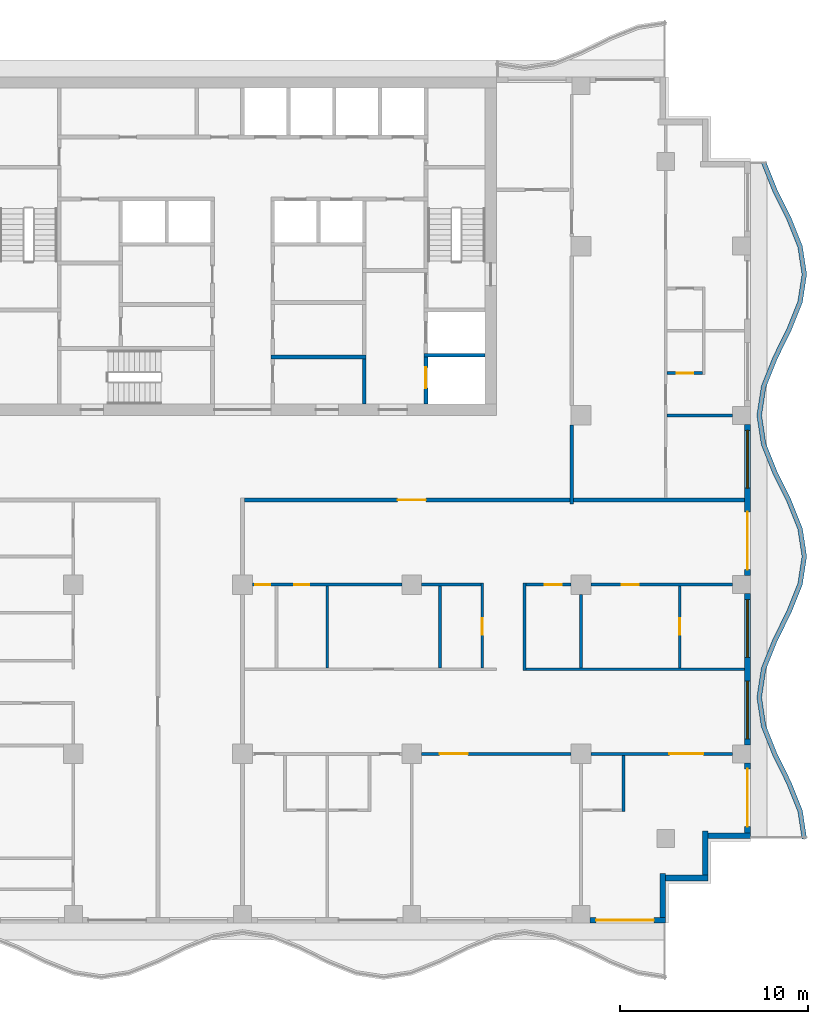
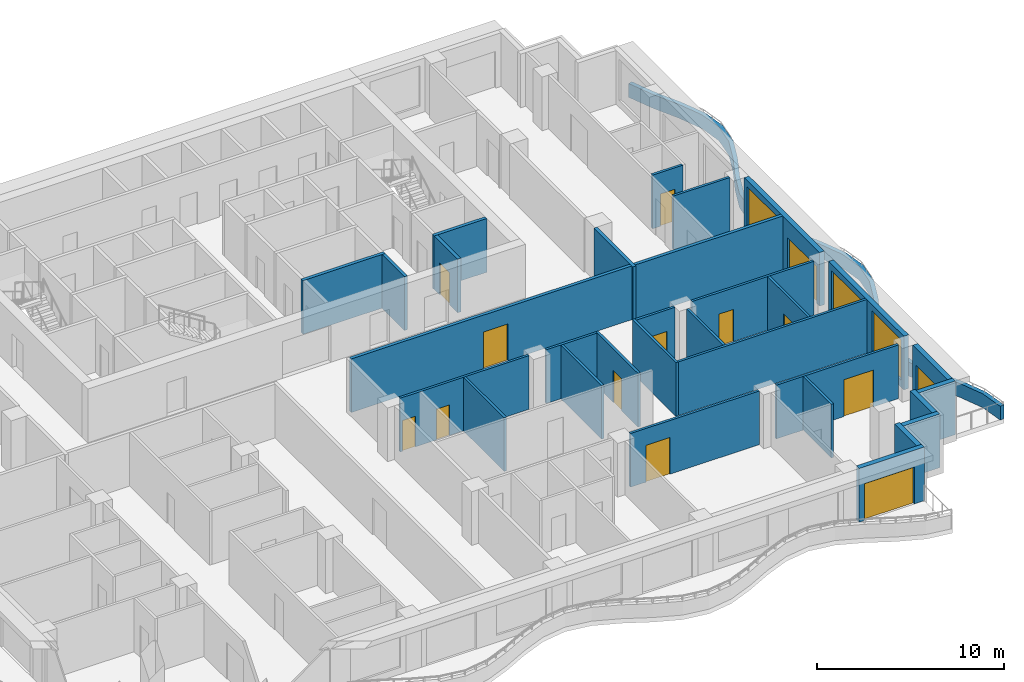
# One storey, part 4 of 11: 32 walls, 14 doors, 3 windows, 17 openings.
"""IFC4 building model written with IfcOpenShell, lengths in metres."""

from ifc_helpers import new_model, si_unit, direction, frame, frame_2d, origin, place, context, subcontext, project, spatial, polyline, rectangle, outline, extrude, material, layer, layer_set, type_object, element, fill, save


model = new_model("IFC4")

# Units and contexts
model_context = context("Model", 3, precision=1e-05, world=origin(), true_north=direction((0.0, 1.0)))
body_context = subcontext(model_context, "Body", "Model", "MODEL_VIEW")
ifc_project = project(units=[si_unit("LENGTHUNIT", "METRE"), si_unit("AREAUNIT", "SQUARE_METRE"), si_unit("VOLUMEUNIT", "CUBIC_METRE"), si_unit("PLANEANGLEUNIT", "RADIAN"), si_unit("MASSUNIT", "GRAM", prefix="KILO")], contexts=[model_context])

# Site, building, storey
site_placement = place(None, origin())
site = spatial("IfcSite", under=ifc_project, at=site_placement, CompositionType="ELEMENT")
building_placement = place(site_placement, origin())
building = spatial("IfcBuilding", under=site, at=building_placement, Name="Orbiselva Terraces", CompositionType="ELEMENT")
storey_placement = place(building_placement, frame((0.0, 0.0, 218.6)))
storey = spatial("IfcBuildingStorey", under=building, at=storey_placement, Name="L55", CompositionType="ELEMENT", Elevation=218.6)

# Walls
ifc_material_1 = material(Name="Concrete C60/75", Category="concrete")
ifc_layer_1 = layer(ifc_material_1, 0.2)
ifc_layer_set_1 = layer_set([ifc_layer_1], Name="Concrete C60/75")
wall_type_1 = type_object("IfcWallType", Name="CORE-WALL-SHEAR-200", PredefinedType="SHEAR", material=ifc_layer_set_1)
wall_1_placement = place(storey_placement, frame((1.5, 7.6, 0.0), z_axis=(0.0, 0.0, 1.0), x_axis=(1.0, 0.0, 0.0)))
element("IfcWall", 1, at=wall_1_placement, inside=storey, type_object=wall_type_1, Name="L55 core wall 28", PredefinedType="SHEAR", context=body_context, shape_type="SweptSolid", body=[
    extrude(rectangle(XDim=5.075, YDim=0.2, at=frame_2d((2.5375, 0.0))), origin(), (0.0, 0.0, 1.0), 3.5),
])
wall_2_placement = place(storey_placement, frame((6.475, 5.1, 0.0), z_axis=(0.0, 0.0, 1.0), x_axis=(0.0, 1.0, 0.0)))
element("IfcWall", 2, at=wall_2_placement, inside=storey, type_object=wall_type_1, Name="L55 core wall 38", PredefinedType="SHEAR", context=body_context, shape_type="SweptSolid", body=[
    extrude(rectangle(XDim=2.4, YDim=0.2, at=frame_2d((1.2, 0.0))), origin(), (0.0, 0.0, 1.0), 3.5),
])

# Wall, opening, door
wall_3_placement = place(storey_placement, frame((9.75, 5.1, 0.0), z_axis=(0.0, 0.0, 1.0), x_axis=(0.0, 1.0, 0.0)))
wall_3 = element("IfcWall", 3, at=wall_3_placement, inside=storey, type_object=wall_type_1, Name="L55 core wall 45", PredefinedType="SHEAR", context=body_context, shape_type="SweptSolid", body=[
    extrude(rectangle(XDim=2.5, YDim=0.2, at=frame_2d((1.25, 0.0))), origin(), (0.0, 0.0, 1.0), 3.5),
])
opening_1_placement = place(wall_3_placement, frame((0.85, 0.0, 0.0)))
opening_1 = element("IfcOpeningElement", 4, at=opening_1_placement, cuts=wall_3, Name="Opening LD-FF1", PredefinedType="OPENING", context=body_context, shape_type="SweptSolid", body=[
    extrude(rectangle(XDim=1.1, YDim=2.1, at=frame_2d((0.55, 1.05))), frame((0.0, 0.11, 0.0), z_axis=(0.0, -1.0, 0.0), x_axis=(1.0, 0.0, 0.0)), (0.0, 0.0, 1.0), 0.22),
])
ifc_material_2 = material(Name="Stainless steel landing door", Category="steel")
door_type_1 = type_object("IfcDoorType", Name="LANDING DOOR 1100", OperationType="SLIDING_TO_LEFT", PredefinedType="DOOR", material=ifc_material_2)
door_1_placement = place(opening_1_placement, origin())
door_1 = element("IfcDoor", 5, at=door_1_placement, inside=storey, type_object=door_type_1, Name="L55 landing door FF1", OperationType="SLIDING_TO_RIGHT", OverallHeight=2.1, OverallWidth=1.1, PredefinedType="DOOR", context=body_context, shape_type="SweptSolid", body=[
    extrude(rectangle(XDim=1.1, YDim=2.1, at=frame_2d((0.55, 1.05))), frame((0.0, 0.025, 0.0), z_axis=(0.0, -1.0, 0.0), x_axis=(1.0, 0.0, 0.0)), (0.0, 0.0, 1.0), 0.05),
])
fill(opening_1, door_1)

# Walls
wall_4_placement = place(storey_placement, frame((9.65, 7.7, 0.0), z_axis=(0.0, 0.0, 1.0), x_axis=(1.0, 0.0, 0.0)))
element("IfcWall", 6, at=wall_4_placement, inside=storey, type_object=wall_type_1, Name="L55 core wall 46", PredefinedType="SHEAR", context=body_context, shape_type="SweptSolid", body=[
    extrude(rectangle(XDim=3.25, YDim=0.2, at=frame_2d((1.625, 0.0))), origin(), (0.0, 0.0, 1.0), 3.5),
])
ifc_material_3 = material(Name="Concrete C40/50", Category="concrete")
ifc_layer_2 = layer(ifc_material_3, 0.25)
ifc_layer_set_2 = layer_set([ifc_layer_2], Name="Concrete C40/50")
wall_type_2 = type_object("IfcWallType", Name="ENV-PLANTER-250x900", PredefinedType="USERDEFINED", material=ifc_layer_set_2)
wall_5_placement = place(storey_placement, origin())
element("IfcWall", 7, at=wall_5_placement, inside=storey, type_object=wall_type_2, Name="Balcony planter L55 E", ObjectType="PLANTER", PredefinedType="USERDEFINED", context=body_context, shape_type="SweptSolid", body=[
    extrude(outline(polyline([(30.0, -18.0), (29.77082, -16.5), (29.17082, -15.0), (28.42918, -13.5), (27.82918, -12.0), (27.6, -10.5), (27.82918, -9.0), (28.42918, -7.5), (29.17082, -6.0), (29.77082, -4.5), (30.0, -3.0), (29.77082, -1.5), (29.17082, 0.0), (28.42918, 1.5), (27.82918, 3.0), (27.6, 4.5), (27.82918, 6.0), (28.42918, 7.5), (29.17082, 9.0), (29.77082, 10.5), (30.0, 12.0), (29.77082, 13.5), (29.17082, 15.0), (28.42918, 16.5), (27.82918, 18.0), (27.597061, 17.907152), (28.200715, 16.398017), (28.942355, 14.898017), (29.528028, 13.433834), (29.747099, 12.0), (29.528028, 10.566166), (28.942355, 9.101983), (28.200715, 7.601983), (27.586388, 6.066166), (27.347099, 4.5), (27.586388, 2.933834), (28.200715, 1.398017), (28.942355, -0.101983), (29.528028, -1.566166), (29.747099, -3.0), (29.528028, -4.433834), (28.942355, -5.898017), (28.200715, -7.398017), (27.586388, -8.933834), (27.347099, -10.5), (27.586388, -12.066166), (28.200715, -13.601983), (28.942355, -15.101983), (29.528028, -16.566166), (29.752868, -18.037758), (30.0, -18.0)])), origin(), (0.0, 0.0, 1.0), 0.9),
])

# Wall, opening, door
ifc_material_4 = material(Name="Terracotta cladding on masonry backing", Category="masonry")
ifc_layer_3 = layer(ifc_material_4, 0.3)
ifc_layer_set_3 = layer_set([ifc_layer_3], Name="Terracotta cladding on masonry backing")
wall_type_3 = type_object("IfcWallType", Name="ENV-WALL-TERRACOTTA-300", PredefinedType="SOLIDWALL", material=ifc_layer_set_3)
wall_6_placement = place(storey_placement, frame((22.5, -22.35, 0.0), z_axis=(0.0, 0.0, 1.0), x_axis=(-1.0, 0.0, 0.0)))
wall_6 = element("IfcWall", 8, at=wall_6_placement, inside=storey, type_object=wall_type_3, Name="Facade wall L55 S", PredefinedType="SOLIDWALL", context=body_context, shape_type="SweptSolid", body=[
    extrude(rectangle(XDim=4.025, YDim=0.3, at=frame_2d((2.0125, 0.0))), origin(), (0.0, 0.0, 1.0), 3.5),
])
opening_2_placement = place(wall_6_placement, frame((0.625, 0.0, 0.0)))
opening_2 = element("IfcOpeningElement", 9, at=opening_2_placement, cuts=wall_6, Name="Opening Z4-D-E04", PredefinedType="OPENING", context=body_context, shape_type="SweptSolid", body=[
    extrude(rectangle(XDim=3.075, YDim=2.4, at=frame_2d((1.5375, 1.2))), frame((0.0, 0.16, 0.0), z_axis=(0.0, -1.0, 0.0), x_axis=(1.0, 0.0, 0.0)), (0.0, 0.0, 1.0), 0.32),
])
ifc_material_5 = material(Name="Clear low-e glazing in aluminium frame", Category="aluminium")
door_type_2 = type_object("IfcDoorType", Name="BALCONY DOOR 3075 X 2400", OperationType="DOUBLE_DOOR_SLIDING", PredefinedType="DOOR", material=ifc_material_5)
door_2_placement = place(opening_2_placement, origin())
door_2 = element("IfcDoor", 10, at=door_2_placement, inside=storey, type_object=door_type_2, Name="Z4-D-E04", OperationType="SINGLE_SWING_LEFT", OverallHeight=2.4, OverallWidth=3.075, PredefinedType="DOOR", context=body_context, shape_type="SweptSolid", body=[
    extrude(rectangle(XDim=3.075, YDim=2.4, at=frame_2d((1.5375, 1.2))), frame((0.0, 0.025, 0.0), z_axis=(0.0, -1.0, 0.0), x_axis=(1.0, 0.0, 0.0)), (0.0, 0.0, 1.0), 0.05),
])
fill(opening_2, door_2)

# Walls
wall_7_placement = place(storey_placement, frame((22.35, -19.85, 0.0), z_axis=(0.0, 0.0, 1.0), x_axis=(0.0, -1.0, 0.0)))
element("IfcWall", 11, at=wall_7_placement, inside=storey, type_object=wall_type_3, Name="Facade wall L55 STEP", PredefinedType="SOLIDWALL", context=body_context, shape_type="SweptSolid", body=[
    extrude(rectangle(XDim=2.35, YDim=0.3, at=frame_2d((1.175, 0.0))), origin(), (0.0, 0.0, 1.0), 3.5),
])
wall_8_placement = place(storey_placement, frame((24.75, -20.1, 0.0), z_axis=(0.0, 0.0, 1.0), x_axis=(-1.0, 0.0, 0.0)))
element("IfcWall", 12, at=wall_8_placement, inside=storey, type_object=wall_type_3, Name="Facade wall L55 STEP", PredefinedType="SOLIDWALL", context=body_context, shape_type="SweptSolid", body=[
    extrude(rectangle(XDim=2.25, YDim=0.3, at=frame_2d((1.125, 0.0))), origin(), (0.0, 0.0, 1.0), 3.5),
])
wall_9_placement = place(storey_placement, frame((24.6, -17.6, 0.0), z_axis=(0.0, 0.0, 1.0), x_axis=(0.0, -1.0, 0.0)))
element("IfcWall", 13, at=wall_9_placement, inside=storey, type_object=wall_type_3, Name="Facade wall L55 STEP", PredefinedType="SOLIDWALL", context=body_context, shape_type="SweptSolid", body=[
    extrude(rectangle(XDim=2.35, YDim=0.3, at=frame_2d((1.175, 0.0))), origin(), (0.0, 0.0, 1.0), 3.5),
])
wall_10_placement = place(storey_placement, frame((27.0, -17.85, 0.0), z_axis=(0.0, 0.0, 1.0), x_axis=(-1.0, 0.0, 0.0)))
element("IfcWall", 14, at=wall_10_placement, inside=storey, type_object=wall_type_3, Name="Facade wall L55 STEP", PredefinedType="SOLIDWALL", context=body_context, shape_type="SweptSolid", body=[
    extrude(rectangle(XDim=2.25, YDim=0.3, at=frame_2d((1.125, 0.0))), origin(), (0.0, 0.0, 1.0), 3.5),
])

# Wall, opening, door
wall_11_placement = place(storey_placement, frame((26.85, -13.975, 0.0), z_axis=(0.0, 0.0, 1.0), x_axis=(0.0, -1.0, 0.0)))
wall_11 = element("IfcWall", 15, at=wall_11_placement, inside=storey, type_object=wall_type_3, Name="Facade wall L55 E", PredefinedType="SOLIDWALL", context=body_context, shape_type="SweptSolid", body=[
    extrude(rectangle(XDim=3.725, YDim=0.3, at=frame_2d((1.8625, 0.0))), origin(), (0.0, 0.0, 1.0), 3.5),
])
opening_3_placement = place(wall_11_placement, frame((0.325, 0.0, 0.0)))
opening_3 = element("IfcOpeningElement", 16, at=opening_3_placement, cuts=wall_11, Name="Opening Z4-D-E05", PredefinedType="OPENING", context=body_context, shape_type="SweptSolid", body=[
    extrude(rectangle(XDim=3.075, YDim=2.4, at=frame_2d((1.5375, 1.2))), frame((0.0, 0.16, 0.0), z_axis=(0.0, -1.0, 0.0), x_axis=(1.0, 0.0, 0.0)), (0.0, 0.0, 1.0), 0.32),
])
door_3_placement = place(opening_3_placement, origin())
door_3 = element("IfcDoor", 17, at=door_3_placement, inside=storey, type_object=door_type_2, Name="Z4-D-E05", OperationType="SINGLE_SWING_LEFT", OverallHeight=2.4, OverallWidth=3.075, PredefinedType="DOOR", context=body_context, shape_type="SweptSolid", body=[
    extrude(rectangle(XDim=3.075, YDim=2.4, at=frame_2d((1.5375, 1.2))), frame((0.0, 0.025, 0.0), z_axis=(0.0, -1.0, 0.0), x_axis=(1.0, 0.0, 0.0)), (0.0, 0.0, 1.0), 0.05),
])
fill(opening_3, door_3)

# Wall, openings, windows
wall_12_placement = place(storey_placement, frame((26.85, -4.975, 0.0), z_axis=(0.0, 0.0, 1.0), x_axis=(0.0, -1.0, 0.0)))
wall_12 = element("IfcWall", 18, at=wall_12_placement, inside=storey, type_object=wall_type_3, Name="Facade wall L55 E", PredefinedType="SOLIDWALL", context=body_context, shape_type="SweptSolid", body=[
    extrude(rectangle(XDim=8.05, YDim=0.3, at=frame_2d((4.025, 0.0))), origin(), (0.0, 0.0, 1.0), 3.5),
])
opening_4_placement = place(wall_12_placement, frame((4.65, 0.0, 0.45)))
opening_4 = element("IfcOpeningElement", 19, at=opening_4_placement, cuts=wall_12, Name="Opening WN15", PredefinedType="OPENING", context=body_context, shape_type="SweptSolid", body=[
    extrude(rectangle(XDim=3.075, YDim=2.65, at=frame_2d((1.5375, 1.325))), frame((0.0, 0.16, 0.0), z_axis=(0.0, -1.0, 0.0), x_axis=(1.0, 0.0, 0.0)), (0.0, 0.0, 1.0), 0.32),
])
opening_5_placement = place(wall_12_placement, frame((0.325, 0.0, 0.45)))
opening_5 = element("IfcOpeningElement", 20, at=opening_5_placement, cuts=wall_12, Name="Opening WN15", PredefinedType="OPENING", context=body_context, shape_type="SweptSolid", body=[
    extrude(rectangle(XDim=3.075, YDim=2.65, at=frame_2d((1.5375, 1.325))), frame((0.0, 0.16, 0.0), z_axis=(0.0, -1.0, 0.0), x_axis=(1.0, 0.0, 0.0)), (0.0, 0.0, 1.0), 0.32),
])
window_type = type_object("IfcWindowType", Name="WINDOW 3075 X 2650 S450", PartitioningType="TRIPLE_PANEL_VERTICAL", PredefinedType="WINDOW", material=ifc_material_5)
window_1_placement = place(opening_4_placement, origin())
window_1 = element("IfcWindow", 21, at=window_1_placement, inside=storey, type_object=window_type, Name="Window L55 E", OverallHeight=2.65, OverallWidth=3.075, PartitioningType="SINGLE_PANEL", PredefinedType="WINDOW", context=body_context, shape_type="SweptSolid", body=[
    extrude(rectangle(XDim=3.075, YDim=2.65, at=frame_2d((1.5375, 1.325))), frame((0.0, 0.03, 0.0), z_axis=(0.0, -1.0, 0.0), x_axis=(1.0, 0.0, 0.0)), (0.0, 0.0, 1.0), 0.06),
])
fill(opening_4, window_1)
window_2_placement = place(opening_5_placement, origin())
window_2 = element("IfcWindow", 22, at=window_2_placement, inside=storey, type_object=window_type, Name="Window L55 E", OverallHeight=2.65, OverallWidth=3.075, PartitioningType="SINGLE_PANEL", PredefinedType="WINDOW", context=body_context, shape_type="SweptSolid", body=[
    extrude(rectangle(XDim=3.075, YDim=2.65, at=frame_2d((1.5375, 1.325))), frame((0.0, 0.03, 0.0), z_axis=(0.0, -1.0, 0.0), x_axis=(1.0, 0.0, 0.0)), (0.0, 0.0, 1.0), 0.06),
])
fill(opening_5, window_2)

# Wall, openings, door, window
wall_13_placement = place(storey_placement, frame((26.85, 4.025, 0.0), z_axis=(0.0, 0.0, 1.0), x_axis=(0.0, -1.0, 0.0)))
wall_13 = element("IfcWall", 23, at=wall_13_placement, inside=storey, type_object=wall_type_3, Name="Facade wall L55 E", PredefinedType="SOLIDWALL", context=body_context, shape_type="SweptSolid", body=[
    extrude(rectangle(XDim=8.05, YDim=0.3, at=frame_2d((4.025, 0.0))), origin(), (0.0, 0.0, 1.0), 3.5),
])
opening_6_placement = place(wall_13_placement, frame((4.65, 0.0, 0.0)))
opening_6 = element("IfcOpeningElement", 24, at=opening_6_placement, cuts=wall_13, Name="Opening Z4-D-E06", PredefinedType="OPENING", context=body_context, shape_type="SweptSolid", body=[
    extrude(rectangle(XDim=3.075, YDim=2.4, at=frame_2d((1.5375, 1.2))), frame((0.0, 0.16, 0.0), z_axis=(0.0, -1.0, 0.0), x_axis=(1.0, 0.0, 0.0)), (0.0, 0.0, 1.0), 0.32),
])
opening_7_placement = place(wall_13_placement, frame((0.325, 0.0, 0.45)))
opening_7 = element("IfcOpeningElement", 25, at=opening_7_placement, cuts=wall_13, Name="Opening WN15", PredefinedType="OPENING", context=body_context, shape_type="SweptSolid", body=[
    extrude(rectangle(XDim=3.075, YDim=2.65, at=frame_2d((1.5375, 1.325))), frame((0.0, 0.16, 0.0), z_axis=(0.0, -1.0, 0.0), x_axis=(1.0, 0.0, 0.0)), (0.0, 0.0, 1.0), 0.32),
])
door_4_placement = place(opening_6_placement, origin())
door_4 = element("IfcDoor", 26, at=door_4_placement, inside=storey, type_object=door_type_2, Name="Z4-D-E06", OperationType="SINGLE_SWING_LEFT", OverallHeight=2.4, OverallWidth=3.075, PredefinedType="DOOR", context=body_context, shape_type="SweptSolid", body=[
    extrude(rectangle(XDim=3.075, YDim=2.4, at=frame_2d((1.5375, 1.2))), frame((0.0, 0.025, 0.0), z_axis=(0.0, -1.0, 0.0), x_axis=(1.0, 0.0, 0.0)), (0.0, 0.0, 1.0), 0.05),
])
fill(opening_6, door_4)
window_3_placement = place(opening_7_placement, origin())
window_3 = element("IfcWindow", 27, at=window_3_placement, inside=storey, type_object=window_type, Name="Window L55 E", OverallHeight=2.65, OverallWidth=3.075, PartitioningType="SINGLE_PANEL", PredefinedType="WINDOW", context=body_context, shape_type="SweptSolid", body=[
    extrude(rectangle(XDim=3.075, YDim=2.65, at=frame_2d((1.5375, 1.325))), frame((0.0, 0.03, 0.0), z_axis=(0.0, -1.0, 0.0), x_axis=(1.0, 0.0, 0.0)), (0.0, 0.0, 1.0), 0.06),
])
fill(opening_7, window_3)

# Wall, opening, door
ifc_material_6 = material(Name="Plasterboard on steel stud partition", Category="steel")
ifc_layer_4 = layer(ifc_material_6, 0.2)
ifc_layer_set_4 = layer_set([ifc_layer_4], Name="Plasterboard on steel stud partition")
wall_type_4 = type_object("IfcWallType", Name="UNIT-ENTRANCE-WALL-200", PredefinedType="PARTITIONING", material=ifc_layer_set_4)
wall_14_placement = place(storey_placement, frame((17.4, 0.0, 0.0), z_axis=(0.0, 0.0, 1.0), x_axis=(-1.0, 0.0, 0.0)))
wall_14 = element("IfcWall", 28, at=wall_14_placement, inside=storey, type_object=wall_type_4, Name="PARTITION L55-028", PredefinedType="PARTITIONING", context=body_context, shape_type="SweptSolid", body=[
    extrude(rectangle(XDim=17.3, YDim=0.2, at=frame_2d((8.65, 0.0))), origin(), (0.0, 0.0, 1.0), 3.5),
])
opening_8_placement = place(wall_14_placement, frame((7.65, 0.0, 0.0)))
opening_8 = element("IfcOpeningElement", 29, at=opening_8_placement, cuts=wall_14, Name="Opening Z4-D-29", PredefinedType="OPENING", context=body_context, shape_type="SweptSolid", body=[
    extrude(rectangle(XDim=1.5, YDim=2.4, at=frame_2d((0.75, 1.2))), frame((0.0, 0.11, 0.0), z_axis=(0.0, -1.0, 0.0), x_axis=(1.0, 0.0, 0.0)), (0.0, 0.0, 1.0), 0.22),
])
ifc_material_7 = material(Name="Painted timber door leaf", Category="wood")
door_type_3 = type_object("IfcDoorType", Name="ENTRANCE DOUBLE DOOR 1500", OperationType="NOTDEFINED", PredefinedType="DOOR", material=ifc_material_7)
door_5_placement = place(opening_8_placement, origin())
door_5 = element("IfcDoor", 30, at=door_5_placement, inside=storey, type_object=door_type_3, Name="Z4-D-29", OperationType="DOUBLE_DOOR_SINGLE_SWING", OverallHeight=2.4, OverallWidth=1.5, PredefinedType="DOOR", context=body_context, shape_type="SweptSolid", body=[
    extrude(rectangle(XDim=1.5, YDim=2.4, at=frame_2d((0.75, 1.2))), frame((0.0, 0.025, 0.0), z_axis=(0.0, -1.0, 0.0), x_axis=(1.0, 0.0, 0.0)), (0.0, 0.0, 1.0), 0.05),
])
fill(opening_8, door_5)

# Wall
wall_15_placement = place(storey_placement, frame((17.5, -0.2, 0.0), z_axis=(0.0, 0.0, 1.0), x_axis=(0.0, 1.0, 0.0)))
element("IfcWall", 31, at=wall_15_placement, inside=storey, type_object=wall_type_4, Name="PARTITION L55-072", PredefinedType="PARTITIONING", context=body_context, shape_type="SweptSolid", body=[
    extrude(rectangle(XDim=4.175, YDim=0.2, at=frame_2d((2.0875, 0.0))), origin(), (0.0, 0.0, 1.0), 3.5),
])

# Wall, opening, door
ifc_layer_5 = layer(ifc_material_6, 0.15)
ifc_layer_set_5 = layer_set([ifc_layer_5], Name="Plasterboard on steel stud partition")
wall_type_5 = type_object("IfcWallType", Name="UNIT-PARTITION-150", PredefinedType="PARTITIONING", material=ifc_layer_set_5)
wall_16_placement = place(storey_placement, frame((17.475, -13.5, 0.0), z_axis=(0.0, 0.0, 1.0), x_axis=(-1.0, 0.0, 0.0)))
wall_16 = element("IfcWall", 32, at=wall_16_placement, inside=storey, type_object=wall_type_5, Name="PARTITION L55-009", PredefinedType="PARTITIONING", context=body_context, shape_type="SweptSolid", body=[
    extrude(rectangle(XDim=7.95, YDim=0.15, at=frame_2d((3.975, 0.0))), origin(), (0.0, 0.0, 1.0), 3.5),
])
opening_9_placement = place(wall_16_placement, frame((5.5, 0.0, 0.0)))
opening_9 = element("IfcOpeningElement", 33, at=opening_9_placement, cuts=wall_16, Name="Opening Z4-D-41", PredefinedType="OPENING", context=body_context, shape_type="SweptSolid", body=[
    extrude(rectangle(XDim=1.5, YDim=2.4, at=frame_2d((0.75, 1.2))), frame((0.0, 0.085, 0.0), z_axis=(0.0, -1.0, 0.0), x_axis=(1.0, 0.0, 0.0)), (0.0, 0.0, 1.0), 0.17),
])
door_type_4 = type_object("IfcDoorType", Name="DOUBLE DOOR 1500", OperationType="NOTDEFINED", PredefinedType="DOOR", material=ifc_material_7)
door_6_placement = place(opening_9_placement, origin())
door_6 = element("IfcDoor", 34, at=door_6_placement, inside=storey, type_object=door_type_4, Name="Z4-D-41", OperationType="DOUBLE_DOOR_SINGLE_SWING", OverallHeight=2.4, OverallWidth=1.5, PredefinedType="DOOR", context=body_context, shape_type="SweptSolid", body=[
    extrude(rectangle(XDim=1.5, YDim=2.4, at=frame_2d((0.75, 1.2))), frame((0.0, 0.025, 0.0), z_axis=(0.0, -1.0, 0.0), x_axis=(1.0, 0.0, 0.0)), (0.0, 0.0, 1.0), 0.05),
])
fill(opening_9, door_6)

wall_17_placement = place(storey_placement, frame((26.05, -13.5, 0.0), z_axis=(0.0, 0.0, 1.0), x_axis=(-1.0, 0.0, 0.0)))
wall_17 = element("IfcWall", 35, at=wall_17_placement, inside=storey, type_object=wall_type_5, Name="PARTITION L55-010", PredefinedType="PARTITIONING", context=body_context, shape_type="SweptSolid", body=[
    extrude(rectangle(XDim=7.525, YDim=0.15, at=frame_2d((3.7625, 0.0))), origin(), (0.0, 0.0, 1.0), 3.5),
])
opening_10_placement = place(wall_17_placement, frame((1.55, 0.0, 0.0)))
opening_10 = element("IfcOpeningElement", 36, at=opening_10_placement, cuts=wall_17, Name="Opening Z4-D-42", PredefinedType="OPENING", context=body_context, shape_type="SweptSolid", body=[
    extrude(rectangle(XDim=1.8, YDim=2.4, at=frame_2d((0.9, 1.2))), frame((0.0, 0.085, 0.0), z_axis=(0.0, -1.0, 0.0), x_axis=(1.0, 0.0, 0.0)), (0.0, 0.0, 1.0), 0.17),
])
door_type_5 = type_object("IfcDoorType", Name="DOUBLE DOOR 1800", OperationType="NOTDEFINED", PredefinedType="DOOR", material=ifc_material_7)
door_7_placement = place(opening_10_placement, origin())
door_7 = element("IfcDoor", 37, at=door_7_placement, inside=storey, type_object=door_type_5, Name="Z4-D-42", OperationType="DOUBLE_DOOR_SINGLE_SWING", OverallHeight=2.4, OverallWidth=1.8, PredefinedType="DOOR", context=body_context, shape_type="SweptSolid", body=[
    extrude(rectangle(XDim=1.8, YDim=2.4, at=frame_2d((0.9, 1.2))), frame((0.0, 0.025, 0.0), z_axis=(0.0, -1.0, 0.0), x_axis=(1.0, 0.0, 0.0)), (0.0, 0.0, 1.0), 0.05),
])
fill(opening_10, door_7)

# Wall
wall_18_placement = place(storey_placement, frame((15.075, -9.0, 0.0), z_axis=(0.0, 0.0, 1.0), x_axis=(1.0, 0.0, 0.0)))
element("IfcWall", 38, at=wall_18_placement, inside=storey, type_object=wall_type_5, Name="PARTITION L55-017", PredefinedType="PARTITIONING", context=body_context, shape_type="SweptSolid", body=[
    extrude(rectangle(XDim=11.625, YDim=0.15, at=frame_2d((5.8125, 0.0))), origin(), (0.0, 0.0, 1.0), 3.5),
])

# Wall, openings, doors
wall_19_placement = place(storey_placement, frame((8.475, -4.5, 0.0), z_axis=(0.0, 0.0, 1.0), x_axis=(-1.0, 0.0, 0.0)))
wall_19 = element("IfcWall", 39, at=wall_19_placement, inside=storey, type_object=wall_type_5, Name="PARTITION L55-022", PredefinedType="PARTITIONING", context=body_context, shape_type="SweptSolid", body=[
    extrude(rectangle(XDim=7.95, YDim=0.15, at=frame_2d((3.975, 0.0))), origin(), (0.0, 0.0, 1.0), 3.5),
])
opening_11_placement = place(wall_19_placement, frame((7.0, 0.0, 0.0)))
opening_11 = element("IfcOpeningElement", 40, at=opening_11_placement, cuts=wall_19, Name="Opening Z4-D-30", PredefinedType="OPENING", context=body_context, shape_type="SweptSolid", body=[
    extrude(rectangle(XDim=0.8, YDim=2.0, at=frame_2d((0.4, 1.0))), frame((0.0, 0.085, 0.0), z_axis=(0.0, -1.0, 0.0), x_axis=(1.0, 0.0, 0.0)), (0.0, 0.0, 1.0), 0.17),
])
opening_12_placement = place(wall_19_placement, frame((4.925, 0.0, 0.0)))
opening_12 = element("IfcOpeningElement", 41, at=opening_12_placement, cuts=wall_19, Name="Opening Z4-D-31", PredefinedType="OPENING", context=body_context, shape_type="SweptSolid", body=[
    extrude(rectangle(XDim=0.8, YDim=2.0, at=frame_2d((0.4, 1.0))), frame((0.0, 0.085, 0.0), z_axis=(0.0, -1.0, 0.0), x_axis=(1.0, 0.0, 0.0)), (0.0, 0.0, 1.0), 0.17),
])
door_type_6 = type_object("IfcDoorType", Name="STORE DOOR 800", OperationType="NOTDEFINED", PredefinedType="DOOR", material=ifc_material_7)
door_8_placement = place(opening_11_placement, origin())
door_8 = element("IfcDoor", 42, at=door_8_placement, inside=storey, type_object=door_type_6, Name="Z4-D-30", OperationType="SINGLE_SWING_RIGHT", OverallHeight=2.0, OverallWidth=0.8, PredefinedType="DOOR", context=body_context, shape_type="SweptSolid", body=[
    extrude(rectangle(XDim=0.8, YDim=2.0, at=frame_2d((0.4, 1.0))), frame((0.0, 0.025, 0.0), z_axis=(0.0, -1.0, 0.0), x_axis=(1.0, 0.0, 0.0)), (0.0, 0.0, 1.0), 0.05),
])
fill(opening_11, door_8)
door_9_placement = place(opening_12_placement, origin())
door_9 = element("IfcDoor", 43, at=door_9_placement, inside=storey, type_object=door_type_6, Name="Z4-D-31", OperationType="SINGLE_SWING_RIGHT", OverallHeight=2.0, OverallWidth=0.8, PredefinedType="DOOR", context=body_context, shape_type="SweptSolid", body=[
    extrude(rectangle(XDim=0.8, YDim=2.0, at=frame_2d((0.4, 1.0))), frame((0.0, 0.025, 0.0), z_axis=(0.0, -1.0, 0.0), x_axis=(1.0, 0.0, 0.0)), (0.0, 0.0, 1.0), 0.05),
])
fill(opening_12, door_9)

# Wall
wall_20_placement = place(storey_placement, frame((9.525, -4.5, 0.0), z_axis=(0.0, 0.0, 1.0), x_axis=(1.0, 0.0, 0.0)))
element("IfcWall", 44, at=wall_20_placement, inside=storey, type_object=wall_type_5, Name="PARTITION L55-023", PredefinedType="PARTITIONING", context=body_context, shape_type="SweptSolid", body=[
    extrude(rectangle(XDim=3.15, YDim=0.15, at=frame_2d((1.575, 0.0))), origin(), (0.0, 0.0, 1.0), 3.5),
])

# Wall, opening, door
wall_21_placement = place(storey_placement, frame((17.475, -4.5, 0.0), z_axis=(0.0, 0.0, 1.0), x_axis=(-1.0, 0.0, 0.0)))
wall_21 = element("IfcWall", 45, at=wall_21_placement, inside=storey, type_object=wall_type_5, Name="PARTITION L55-024", PredefinedType="PARTITIONING", context=body_context, shape_type="SweptSolid", body=[
    extrude(rectangle(XDim=2.4, YDim=0.15, at=frame_2d((1.2, 0.0))), origin(), (0.0, 0.0, 1.0), 3.5),
])
opening_13_placement = place(wall_21_placement, frame((0.5, 0.0, 0.0)))
opening_13 = element("IfcOpeningElement", 46, at=opening_13_placement, cuts=wall_21, Name="Opening Z4-D-34", PredefinedType="OPENING", context=body_context, shape_type="SweptSolid", body=[
    extrude(rectangle(XDim=0.9, YDim=2.1, at=frame_2d((0.45, 1.05))), frame((0.0, 0.085, 0.0), z_axis=(0.0, -1.0, 0.0), x_axis=(1.0, 0.0, 0.0)), (0.0, 0.0, 1.0), 0.17),
])
door_type_7 = type_object("IfcDoorType", Name="SERVICE DOOR 900", OperationType="NOTDEFINED", PredefinedType="DOOR", material=ifc_material_7)
door_10_placement = place(opening_13_placement, origin())
door_10 = element("IfcDoor", 47, at=door_10_placement, inside=storey, type_object=door_type_7, Name="Z4-D-34", OperationType="SINGLE_SWING_LEFT", OverallHeight=2.1, OverallWidth=0.9, PredefinedType="DOOR", context=body_context, shape_type="SweptSolid", body=[
    extrude(rectangle(XDim=0.9, YDim=2.1, at=frame_2d((0.45, 1.05))), frame((0.0, 0.025, 0.0), z_axis=(0.0, -1.0, 0.0), x_axis=(1.0, 0.0, 0.0)), (0.0, 0.0, 1.0), 0.05),
])
fill(opening_13, door_10)

wall_22_placement = place(storey_placement, frame((26.05, -4.5, 0.0), z_axis=(0.0, 0.0, 1.0), x_axis=(-1.0, 0.0, 0.0)))
wall_22 = element("IfcWall", 48, at=wall_22_placement, inside=storey, type_object=wall_type_5, Name="PARTITION L55-025", PredefinedType="PARTITIONING", context=body_context, shape_type="SweptSolid", body=[
    extrude(rectangle(XDim=7.525, YDim=0.15, at=frame_2d((3.7625, 0.0))), origin(), (0.0, 0.0, 1.0), 3.5),
])
opening_14_placement = place(wall_22_placement, frame((4.975, 0.0, 0.0)))
opening_14 = element("IfcOpeningElement", 49, at=opening_14_placement, cuts=wall_22, Name="Opening Z4-D-35", PredefinedType="OPENING", context=body_context, shape_type="SweptSolid", body=[
    extrude(rectangle(XDim=0.9, YDim=2.1, at=frame_2d((0.45, 1.05))), frame((0.0, 0.085, 0.0), z_axis=(0.0, -1.0, 0.0), x_axis=(1.0, 0.0, 0.0)), (0.0, 0.0, 1.0), 0.17),
])
door_11_placement = place(opening_14_placement, origin())
door_11 = element("IfcDoor", 50, at=door_11_placement, inside=storey, type_object=door_type_7, Name="Z4-D-35", OperationType="SINGLE_SWING_RIGHT", OverallHeight=2.1, OverallWidth=0.9, PredefinedType="DOOR", context=body_context, shape_type="SweptSolid", body=[
    extrude(rectangle(XDim=0.9, YDim=2.1, at=frame_2d((0.45, 1.05))), frame((0.0, 0.025, 0.0), z_axis=(0.0, -1.0, 0.0), x_axis=(1.0, 0.0, 0.0)), (0.0, 0.0, 1.0), 0.05),
])
fill(opening_14, door_11)

# Wall
wall_23_placement = place(storey_placement, frame((22.575, 4.5, 0.0), z_axis=(0.0, 0.0, 1.0), x_axis=(1.0, 0.0, 0.0)))
element("IfcWall", 51, at=wall_23_placement, inside=storey, type_object=wall_type_5, Name="PARTITION L55-032", PredefinedType="PARTITIONING", context=body_context, shape_type="SweptSolid", body=[
    extrude(rectangle(XDim=3.475, YDim=0.15, at=frame_2d((1.7375, 0.0))), origin(), (0.0, 0.0, 1.0), 3.5),
])

# Wall, opening, door
wall_24_placement = place(storey_placement, frame((22.575, 6.75, 0.0), z_axis=(0.0, 0.0, 1.0), x_axis=(1.0, 0.0, 0.0)))
wall_24 = element("IfcWall", 52, at=wall_24_placement, inside=storey, type_object=wall_type_5, Name="PARTITION L55-034", PredefinedType="PARTITIONING", context=body_context, shape_type="SweptSolid", body=[
    extrude(rectangle(XDim=1.875, YDim=0.15, at=frame_2d((0.9375, 0.0))), origin(), (0.0, 0.0, 1.0), 3.5),
])
opening_15_placement = place(wall_24_placement, frame((0.5, 0.0, 0.0)))
opening_15 = element("IfcOpeningElement", 53, at=opening_15_placement, cuts=wall_24, Name="Opening Z4-D-11", PredefinedType="OPENING", context=body_context, shape_type="SweptSolid", body=[
    extrude(rectangle(XDim=0.9, YDim=2.1, at=frame_2d((0.45, 1.05))), frame((0.0, 0.085, 0.0), z_axis=(0.0, -1.0, 0.0), x_axis=(1.0, 0.0, 0.0)), (0.0, 0.0, 1.0), 0.17),
])
door_type_8 = type_object("IfcDoorType", Name="BATH DOOR 900", OperationType="NOTDEFINED", PredefinedType="DOOR", material=ifc_material_7)
door_12_placement = place(opening_15_placement, origin())
door_12 = element("IfcDoor", 54, at=door_12_placement, inside=storey, type_object=door_type_8, Name="Z4-D-11", OperationType="SINGLE_SWING_RIGHT", OverallHeight=2.1, OverallWidth=0.9, PredefinedType="DOOR", context=body_context, shape_type="SweptSolid", body=[
    extrude(rectangle(XDim=0.9, YDim=2.1, at=frame_2d((0.45, 1.05))), frame((0.0, 0.025, 0.0), z_axis=(0.0, -1.0, 0.0), x_axis=(1.0, 0.0, 0.0)), (0.0, 0.0, 1.0), 0.05),
])
fill(opening_15, door_12)

# Walls
for number, where, z_axis, x_axis, name in (
    (55, (4.5, -8.925, 0.0), (0.0, 0.0, 1.0), (0.0, 1.0, 0.0), "PARTITION L55-066"),
    (56, (10.5, -8.925, 0.0), (0.0, 0.0, 1.0), (0.0, 1.0, 0.0), "PARTITION L55-069"),
):
    element("IfcWall", number, at=place(storey_placement, frame(where, z_axis=z_axis, x_axis=x_axis)), inside=storey, type_object=wall_type_5, Name=name, PredefinedType="PARTITIONING", context=body_context, shape_type="SweptSolid", body=[
        extrude(rectangle(XDim=4.35, YDim=0.15, at=frame_2d((2.175, 0.0))), origin(), (0.0, 0.0, 1.0), 3.5),
    ])

# Wall, opening, door
wall_25_placement = place(storey_placement, frame((12.75, -8.925, 0.0), z_axis=(0.0, 0.0, 1.0), x_axis=(0.0, 1.0, 0.0)))
wall_25 = element("IfcWall", 57, at=wall_25_placement, inside=storey, type_object=wall_type_5, Name="PARTITION L55-070", PredefinedType="PARTITIONING", context=body_context, shape_type="SweptSolid", body=[
    extrude(rectangle(XDim=4.5, YDim=0.15, at=frame_2d((2.25, 0.0))), origin(), (0.0, 0.0, 1.0), 3.5),
])
opening_16_placement = place(wall_25_placement, frame((1.75, 0.0, 0.0)))
opening_16 = element("IfcOpeningElement", 58, at=opening_16_placement, cuts=wall_25, Name="Opening Z4-D-33", PredefinedType="OPENING", context=body_context, shape_type="SweptSolid", body=[
    extrude(rectangle(XDim=0.9, YDim=2.1, at=frame_2d((0.45, 1.05))), frame((0.0, 0.085, 0.0), z_axis=(0.0, -1.0, 0.0), x_axis=(1.0, 0.0, 0.0)), (0.0, 0.0, 1.0), 0.17),
])
door_13_placement = place(opening_16_placement, origin())
door_13 = element("IfcDoor", 59, at=door_13_placement, inside=storey, type_object=door_type_8, Name="Z4-D-33", OperationType="SINGLE_SWING_LEFT", OverallHeight=2.1, OverallWidth=0.9, PredefinedType="DOOR", context=body_context, shape_type="SweptSolid", body=[
    extrude(rectangle(XDim=0.9, YDim=2.1, at=frame_2d((0.45, 1.05))), frame((0.0, 0.025, 0.0), z_axis=(0.0, -1.0, 0.0), x_axis=(1.0, 0.0, 0.0)), (0.0, 0.0, 1.0), 0.05),
])
fill(opening_16, door_13)

# Walls
wall_26_placement = place(storey_placement, frame((15.0, -9.075, 0.0), z_axis=(0.0, 0.0, 1.0), x_axis=(0.0, 1.0, 0.0)))
element("IfcWall", 60, at=wall_26_placement, inside=storey, type_object=wall_type_5, Name="PARTITION L55-071", PredefinedType="PARTITIONING", context=body_context, shape_type="SweptSolid", body=[
    extrude(rectangle(XDim=4.65, YDim=0.15, at=frame_2d((2.325, 0.0))), origin(), (0.0, 0.0, 1.0), 3.5),
])
wall_27_placement = place(storey_placement, frame((18.0, -8.925, 0.0), z_axis=(0.0, 0.0, 1.0), x_axis=(0.0, 1.0, 0.0)))
element("IfcWall", 61, at=wall_27_placement, inside=storey, type_object=wall_type_5, Name="PARTITION L55-077", PredefinedType="PARTITIONING", context=body_context, shape_type="SweptSolid", body=[
    extrude(rectangle(XDim=3.9, YDim=0.15, at=frame_2d((1.95, 0.0))), origin(), (0.0, 0.0, 1.0), 3.5),
])
wall_28_placement = place(storey_placement, frame((20.25, -16.575, 0.0), z_axis=(0.0, 0.0, 1.0), x_axis=(0.0, 1.0, 0.0)))
element("IfcWall", 62, at=wall_28_placement, inside=storey, type_object=wall_type_5, Name="PARTITION L55-078", PredefinedType="PARTITIONING", context=body_context, shape_type="SweptSolid", body=[
    extrude(rectangle(XDim=3.0, YDim=0.15, at=frame_2d((1.5, 0.0))), origin(), (0.0, 0.0, 1.0), 3.5),
])

# Wall, opening, door
wall_29_placement = place(storey_placement, frame((23.25, -4.575, 0.0), z_axis=(0.0, 0.0, 1.0), x_axis=(0.0, -1.0, 0.0)))
wall_29 = element("IfcWall", 63, at=wall_29_placement, inside=storey, type_object=wall_type_5, Name="PARTITION L55-081", PredefinedType="PARTITIONING", context=body_context, shape_type="SweptSolid", body=[
    extrude(rectangle(XDim=4.35, YDim=0.15, at=frame_2d((2.175, 0.0))), origin(), (0.0, 0.0, 1.0), 3.5),
])
opening_17_placement = place(wall_29_placement, frame((1.7, 0.0, 0.0)))
opening_17 = element("IfcOpeningElement", 64, at=opening_17_placement, cuts=wall_29, Name="Opening Z4-D-36", PredefinedType="OPENING", context=body_context, shape_type="SweptSolid", body=[
    extrude(rectangle(XDim=0.9, YDim=2.1, at=frame_2d((0.45, 1.05))), frame((0.0, 0.085, 0.0), z_axis=(0.0, -1.0, 0.0), x_axis=(1.0, 0.0, 0.0)), (0.0, 0.0, 1.0), 0.17),
])
door_14_placement = place(opening_17_placement, origin())
door_14 = element("IfcDoor", 65, at=door_14_placement, inside=storey, type_object=door_type_8, Name="Z4-D-36", OperationType="SINGLE_SWING_LEFT", OverallHeight=2.1, OverallWidth=0.9, PredefinedType="DOOR", context=body_context, shape_type="SweptSolid", body=[
    extrude(rectangle(XDim=0.9, YDim=2.1, at=frame_2d((0.45, 1.05))), frame((0.0, 0.025, 0.0), z_axis=(0.0, -1.0, 0.0), x_axis=(1.0, 0.0, 0.0)), (0.0, 0.0, 1.0), 0.05),
])
fill(opening_17, door_14)

# Wall
ifc_layer_6 = layer(ifc_material_6, 0.2)
ifc_layer_set_6 = layer_set([ifc_layer_6], Name="Plasterboard on steel stud partition")
wall_type_6 = type_object("IfcWallType", Name="UNIT-PARTY-WALL-200", PredefinedType="PARTITIONING", material=ifc_layer_set_6)
wall_30_placement = place(storey_placement, frame((17.6, 0.0, 0.0), z_axis=(0.0, 0.0, 1.0), x_axis=(1.0, 0.0, 0.0)))
element("IfcWall", 66, at=wall_30_placement, inside=storey, type_object=wall_type_6, Name="PARTITION L55-030", PredefinedType="PARTITIONING", context=body_context, shape_type="SweptSolid", body=[
    extrude(rectangle(XDim=9.1, YDim=0.2, at=frame_2d((4.55, 0.0))), origin(), (0.0, 0.0, 1.0), 3.5),
])

save(model, "model.ifc")
